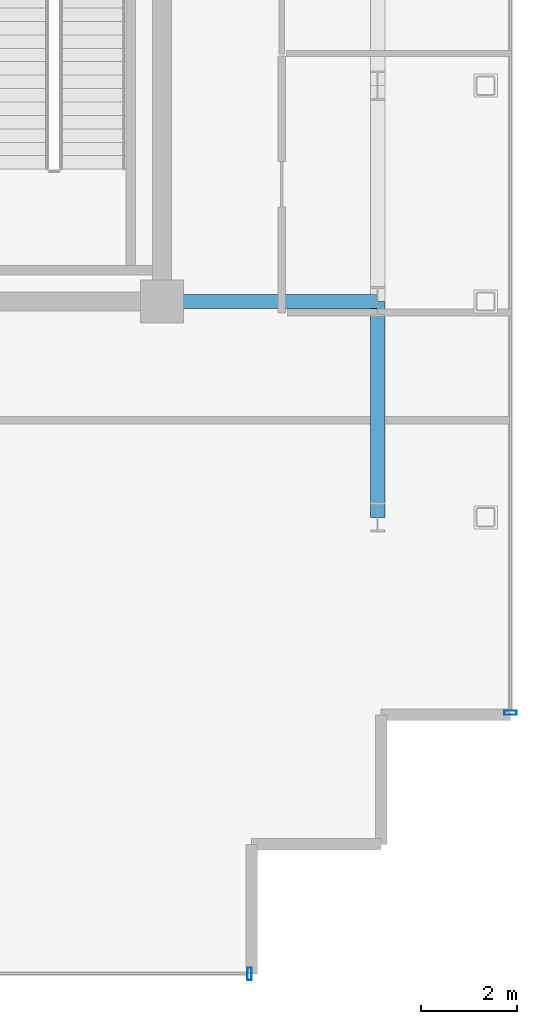
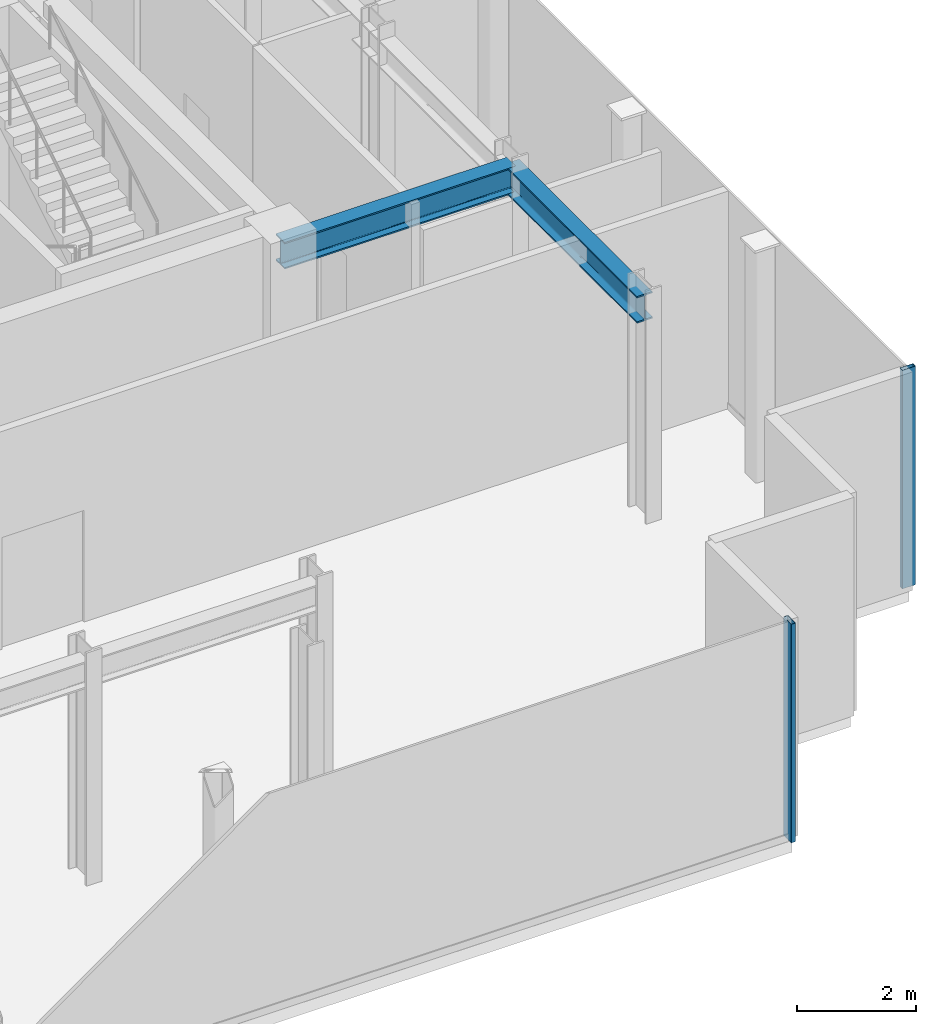
# One storey, part 6 of 17: 2 beams, 2 members, 2 elements without a shape of their own.
"""IFC4 building model written with IfcOpenShell, lengths in metres."""

from ifc_helpers import new_model, si_unit, direction, frame, origin, origin_2d, place, context, subcontext, project, spatial, hollow_rectangle, i_section, extrude, source, transform, mapped, material, layer, layer_set, material_profile, profile_set, type_object, element, aggregate, save


model = new_model("IFC4")

# Units and contexts
model_context = context("Model", 3, precision=1e-05, world=origin(), true_north=direction((0.0, 1.0)))
body_context = subcontext(model_context, "Body", "Model", "MODEL_VIEW")
ifc_project = project(units=[si_unit("LENGTHUNIT", "METRE"), si_unit("AREAUNIT", "SQUARE_METRE"), si_unit("VOLUMEUNIT", "CUBIC_METRE"), si_unit("PLANEANGLEUNIT", "RADIAN"), si_unit("MASSUNIT", "GRAM", prefix="KILO")], contexts=[model_context])

# Site, building, storey
site_placement = place(None, origin())
site = spatial("IfcSite", under=ifc_project, at=site_placement, CompositionType="ELEMENT")
building_placement = place(site_placement, origin())
building = spatial("IfcBuilding", under=site, at=building_placement, Name="Nefas-Gora Pilgrimage Tower", CompositionType="ELEMENT")
storey_placement = place(building_placement, frame((0.0, 0.0, 353.800048828125)))
storey = spatial("IfcBuildingStorey", under=building, at=storey_placement, Name="L89", CompositionType="ELEMENT", Elevation=353.800048828125)

# Beams
ifc_material_1 = material(Name="Steel S355", Category="steel")
ifc_material_profile_1 = material_profile(ifc_material_1, i_section(OverallWidth=0.300048828125, OverallDepth=0.550048828125, WebThickness=0.014892578125, FlangeThickness=0.029052734375, FilletRadius=0.027099609375, at=origin_2d()), Name="HEB 550")
ifc_profile_set_1 = profile_set([ifc_material_profile_1], Name="Steel S355")
beam_type = type_object("IfcBeamType", Name="BM-GIR-HEB550", PredefinedType="BEAM", material=ifc_profile_set_1)
shared_shape_1 = source(origin(), body_context, "Body", "SweptSolid", [
    extrude(i_section(OverallWidth=0.300048828125, OverallDepth=0.550048828125, WebThickness=0.014892578125, FlangeThickness=0.029052734375, FilletRadius=0.027099609375, at=origin_2d()), origin(), (0.0, 0.0, 1.0), 4.5),
])
for number, where, z_axis, x_axis, name in (
    (1, (11.25, -9.0, 4.224853515625), (1.0, 0.0, 0.0), (0.0, 1.0, 0.0), "L89 G-05 beam"),
    (2, (15.75, -13.5, 4.224853515625), (0.0, 1.0, 0.0), (-1.0, 0.0, 0.0), "L89 G-05 beam"),
):
    element("IfcBeam", number, at=place(storey_placement, frame(where, z_axis=z_axis, x_axis=x_axis)), inside=storey, type_object=beam_type, Name=name, PredefinedType="BEAM", context=body_context, shape_type="MappedRepresentation", body=[
        mapped(shared_shape_1, transform((0.0, 0.0, 0.0), x_axis=(1.0, 0.0, 0.0), y_axis=(0.0, 1.0, 0.0), z_axis=(0.0, 0.0, 1.0), scale=1.0)),
    ])

# Curtain wall, member
ifc_material_2 = material(Name="Dark ceramic-fritted solar-control aluminium-glass curtain wall", Category="aluminium")
ifc_layer = layer(ifc_material_2, 0.219970703125)
ifc_layer_set = layer_set([ifc_layer], Name="Dark ceramic-fritted solar-control aluminium-glass curtain wall")
curtain_wall_type = type_object("IfcCurtainWallType", Name="CW-SYS-6", PredefinedType="NOTDEFINED", material=ifc_layer_set)
curtain_wall_1_placement = place(storey_placement, origin())
curtain_wall_1 = element("IfcCurtainWall", 3, at=curtain_wall_1_placement, inside=storey, type_object=curtain_wall_type, Name="L89 Unitised Curtain Wall CW6", PredefinedType="NOTDEFINED")
ifc_material_3 = material(Name="Anodised architectural aluminium", Category="aluminium")
ifc_material_profile_2 = material_profile(ifc_material_3, hollow_rectangle(XDim=0.090087890625, YDim=0.260009765625, WallThickness=0.006103515625, InnerFilletRadius=0.006103515625, OuterFilletRadius=0.011962890625, at=origin_2d()), Name="ALU MULLION 90x260")
ifc_profile_set_2 = profile_set([ifc_material_profile_2], Name="Anodised architectural aluminium")
member_type = type_object("IfcMemberType", Name="CWM-MUL-6", PredefinedType="MULLION", material=ifc_profile_set_2)
shared_shape_2 = source(origin(), body_context, "Body", "SweptSolid", [
    extrude(hollow_rectangle(XDim=0.090087890625, YDim=0.260009765625, WallThickness=0.006103515625, InnerFilletRadius=0.006103515625, OuterFilletRadius=0.011962890625, at=origin_2d()), origin(), (0.0, 0.0, 1.0), 4.5),
])
member_1_placement = place(storey_placement, frame((13.074951171875, -23.02001953125, 0.0), z_axis=(0.0, 0.0, 1.0), x_axis=(1.0, 0.0, 0.0)))
member_1 = element("IfcMember", 4, at=member_1_placement, type_object=member_type, Name="CW6 Mullion 2", PredefinedType="MULLION", context=body_context, shape_type="MappedRepresentation", body=[
    mapped(shared_shape_2, transform((0.0, 0.0, 0.0), x_axis=(1.0, 0.0, 0.0), y_axis=(0.0, 1.0, 0.0), z_axis=(0.0, 0.0, 1.0), scale=1.0)),
])
aggregate(curtain_wall_1, [member_1])

curtain_wall_2_placement = place(storey_placement, origin())
curtain_wall_2 = element("IfcCurtainWall", 5, at=curtain_wall_2_placement, inside=storey, type_object=curtain_wall_type, Name="L89 Unitised Curtain Wall CW6", PredefinedType="NOTDEFINED")
member_2_placement = place(storey_placement, frame((18.52001953125, -17.574951171875, 0.0), z_axis=(0.0, 0.0, 1.0), x_axis=(0.0, 1.0, 0.0)))
member_2 = element("IfcMember", 6, at=member_2_placement, type_object=member_type, Name="CW6 Mullion 1", PredefinedType="MULLION", context=body_context, shape_type="MappedRepresentation", body=[
    mapped(shared_shape_2, transform((0.0, 0.0, 0.0), x_axis=(1.0, 0.0, 0.0), y_axis=(0.0, 1.0, 0.0), z_axis=(0.0, 0.0, 1.0), scale=1.0)),
])
aggregate(curtain_wall_2, [member_2])

save(model, "model.ifc")
